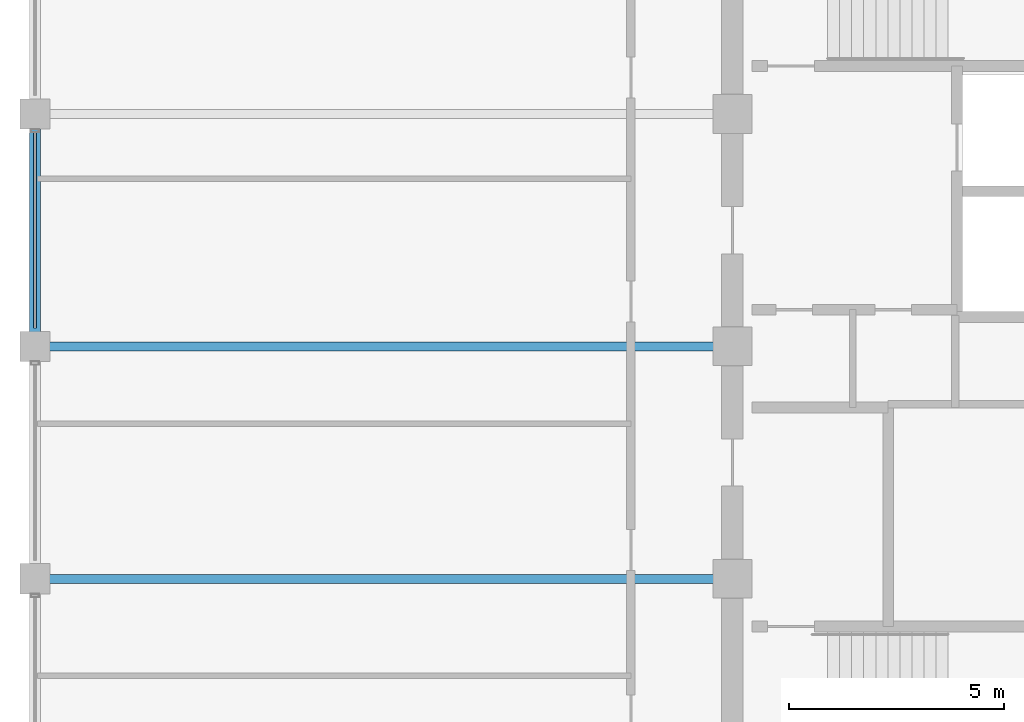
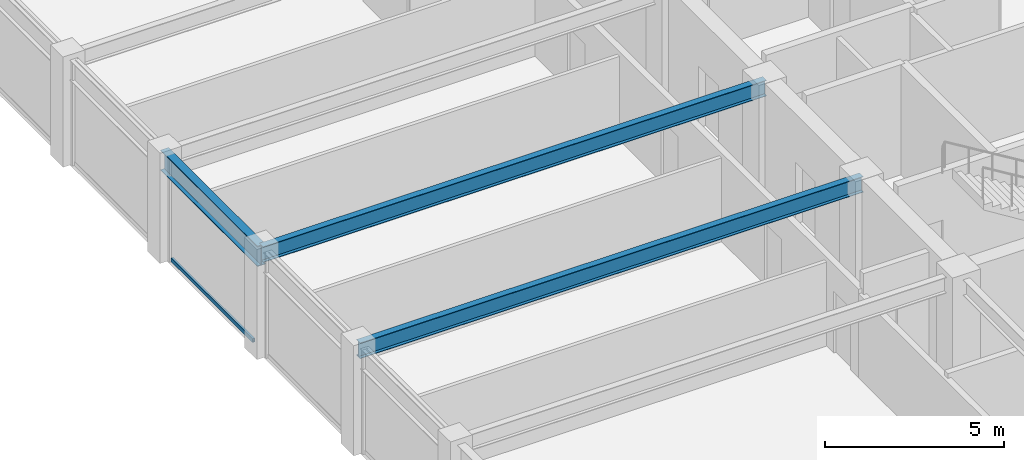
# One storey, part 9 of 31: 3 beams, 1 member, 1 element without a shape of its own.
"""IFC4 building model written with IfcOpenShell, lengths in metres."""

from ifc_helpers import new_model, si_unit, direction, frame, origin, origin_2d, place, context, subcontext, project, spatial, hollow_rectangle, i_section, extrude, material, layer, layer_set, material_profile, profile_set, type_object, element, aggregate, save


model = new_model("IFC4")

# Units and contexts
model_context = context("Model", 3, precision=1e-05, world=origin(), true_north=direction((0.0, 1.0)))
body_context = subcontext(model_context, "Body", "Model", "MODEL_VIEW")
ifc_project = project(units=[si_unit("LENGTHUNIT", "METRE"), si_unit("AREAUNIT", "SQUARE_METRE"), si_unit("VOLUMEUNIT", "CUBIC_METRE"), si_unit("PLANEANGLEUNIT", "RADIAN"), si_unit("MASSUNIT", "GRAM", prefix="KILO")], contexts=[model_context])

# Site, building, storey
site_placement = place(None, origin())
site = spatial("IfcSite", under=ifc_project, at=site_placement, CompositionType="ELEMENT")
building_placement = place(site_placement, origin())
building = spatial("IfcBuilding", under=site, at=building_placement, Name="Surkhivell Harbour Commons", CompositionType="ELEMENT")
storey_placement = place(building_placement, frame((0.0, 0.0, 285.0)))
storey = spatial("IfcBuildingStorey", under=building, at=storey_placement, Name="L74", CompositionType="ELEMENT", Elevation=285.0)

# Beams
ifc_material_1 = material(Name="Steel S355", Category="steel")
ifc_material_profile_1 = material_profile(ifc_material_1, i_section(OverallWidth=0.2099609375, OverallDepth=0.537109375, WebThickness=0.0107421875, FlangeThickness=0.017333984375, at=origin_2d()), Name="UB533x210x101")
ifc_profile_set_1 = profile_set([ifc_material_profile_1], Name="Steel S355")
beam_type_1 = type_object("IfcBeamType", Name="BM-GRD-533B", PredefinedType="BEAM", material=ifc_profile_set_1)
for number, where, z_axis, x_axis, name in (
    (1, (-27.0, -5.39990234375, 3.301513671875), (1.0, 0.0, 0.0), (0.0, 1.0, 0.0), "L74 Floor Girder (-27.0,-5.4)"),
    (2, (-27.0, 0.0, 3.301513671875), (1.0, 0.0, 0.0), (0.0, 1.0, 0.0), "L74 Floor Girder (-27.0,0.0)"),
):
    element("IfcBeam", number, at=place(storey_placement, frame(where, z_axis=z_axis, x_axis=x_axis)), inside=storey, type_object=beam_type_1, Name=name, PredefinedType="BEAM", context=body_context, shape_type="SweptSolid", body=[
        extrude(i_section(OverallWidth=0.2099609375, OverallDepth=0.537109375, WebThickness=0.0107421875, FlangeThickness=0.017333984375, at=origin_2d()), origin(), (0.0, 0.0, 1.0), 16.199951171875),
    ])
ifc_material_profile_2 = material_profile(ifc_material_1, i_section(OverallWidth=0.256103515625, OverallDepth=0.693115234375, WebThickness=0.014404296875, FlangeThickness=0.023681640625, at=origin_2d()), Name="UB686x254x170")
ifc_profile_set_2 = profile_set([ifc_material_profile_2], Name="Steel S355")
beam_type_2 = type_object("IfcBeamType", Name="BM-SPN-686", PredefinedType="SPANDREL", material=ifc_profile_set_2)
beam_placement = place(storey_placement, frame((-27.0, 0.0, 3.223388671875), z_axis=(0.0, 1.0, 0.0), x_axis=(-1.0, 0.0, 0.0)))
element("IfcBeam", 3, at=beam_placement, inside=storey, type_object=beam_type_2, Name="L74 Tube Spandrel (-27.0,0.0)", PredefinedType="SPANDREL", context=body_context, shape_type="SweptSolid", body=[
    extrude(i_section(OverallWidth=0.256103515625, OverallDepth=0.693115234375, WebThickness=0.014404296875, FlangeThickness=0.023681640625, at=origin_2d()), origin(), (0.0, 0.0, 1.0), 5.39990234375),
])

# Curtain wall, member
ifc_material_2 = material(Name="Anodised pale-metal aluminium and insulated glazing", Category="aluminium")
ifc_layer = layer(ifc_material_2, 0.175048828125)
ifc_layer_set = layer_set([ifc_layer], Name="Anodised pale-metal aluminium and insulated glazing")
curtain_wall_type = type_object("IfcCurtainWallType", Name="CW-SYS-Z4", PredefinedType="NOTDEFINED", material=ifc_layer_set)
curtain_wall_placement = place(storey_placement, origin())
curtain_wall = element("IfcCurtainWall", 4, at=curtain_wall_placement, inside=storey, type_object=curtain_wall_type, Name="L74 Curtain Wall CW-L74-E12S1", PredefinedType="NOTDEFINED")
ifc_material_3 = material(Name="Champagne anodised aluminium alloy 6063-T6", Category="aluminium")
ifc_material_profile_3 = material_profile(ifc_material_3, hollow_rectangle(XDim=0.070068359375, YDim=0.1298828125, WallThickness=0.00341796875, at=origin_2d()), Name="ALU-TRAN-70x130")
ifc_profile_set_3 = profile_set([ifc_material_profile_3], Name="Champagne anodised aluminium alloy 6063-T6")
member_type = type_object("IfcMemberType", Name="CWT-130", PredefinedType="USERDEFINED", material=ifc_profile_set_3)
member_placement = place(storey_placement, frame((-27.0, 4.972900390625, 0.06494140625), z_axis=(0.0, -1.0, 0.0), x_axis=(1.0, 0.0, 0.0)))
member = element("IfcMember", 5, at=member_placement, type_object=member_type, Name="CW-Z4 transom 4.1", ObjectType="TRANSOM", PredefinedType="USERDEFINED", context=body_context, shape_type="SweptSolid", body=[
    extrude(hollow_rectangle(XDim=0.070068359375, YDim=0.1298828125, WallThickness=0.00341796875, at=origin_2d()), origin(), (0.0, 0.0, 1.0), 4.5458984375),
])
aggregate(curtain_wall, [member])

save(model, "model.ifc")
